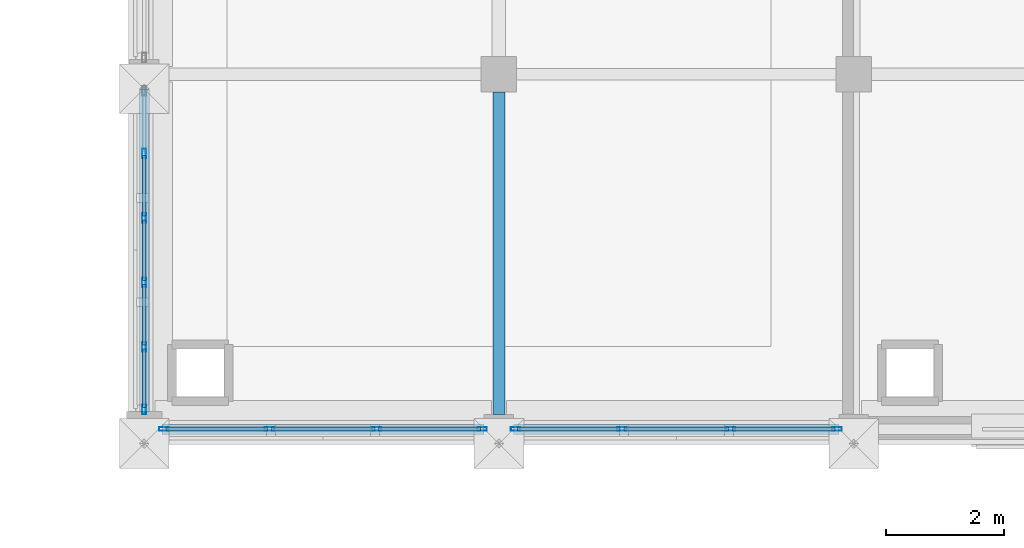
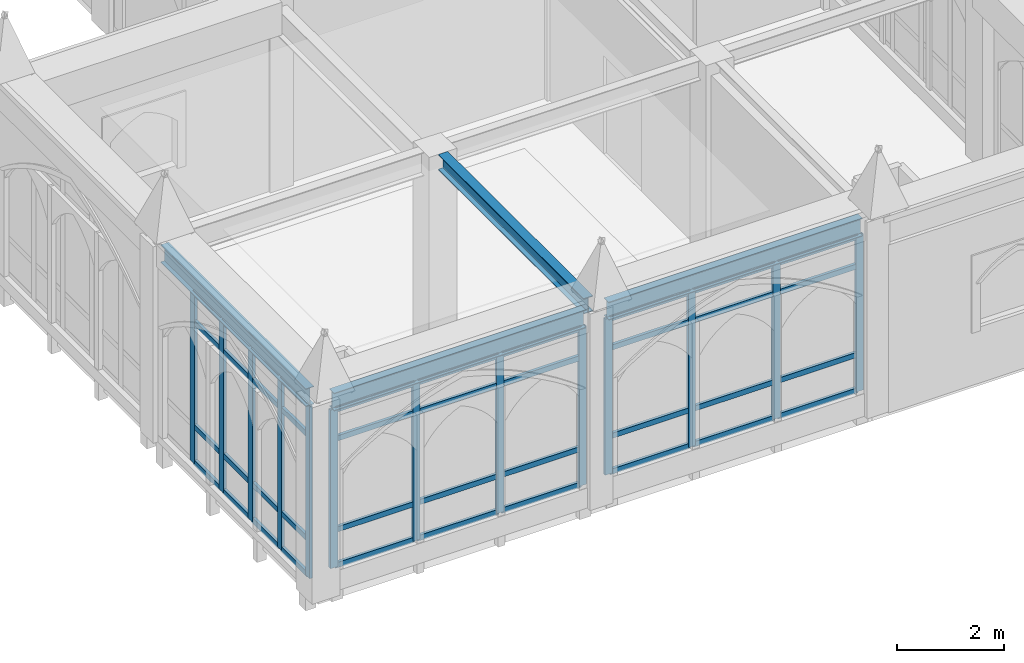
# One storey, part 2 of 127: 53 members, 4 beams, 3 elements without a shape of their own.
"""IFC4 building model written with IfcOpenShell, lengths in metres."""

from ifc_helpers import new_model, si_unit, direction, frame, origin, origin_2d, place, context, subcontext, project, spatial, hollow_rectangle, i_section, extrude, material, layer, layer_set, material_profile, profile_set, type_object, element, aggregate, save


model = new_model("IFC4")

# Units and contexts
model_context = context("Model", 3, precision=1e-05, world=origin(), true_north=direction((0.0, 1.0)))
body_context = subcontext(model_context, "Body", "Model", "MODEL_VIEW")
ifc_project = project(units=[si_unit("LENGTHUNIT", "METRE"), si_unit("AREAUNIT", "SQUARE_METRE"), si_unit("VOLUMEUNIT", "CUBIC_METRE"), si_unit("PLANEANGLEUNIT", "RADIAN"), si_unit("MASSUNIT", "GRAM", prefix="KILO")], contexts=[model_context])

# Site, building, storey
site_placement = place(None, origin())
site = spatial("IfcSite", under=ifc_project, at=site_placement, CompositionType="ELEMENT")
building_placement = place(site_placement, origin())
building = spatial("IfcBuilding", under=site, at=building_placement, Name="Cumevento Cable Car Station", CompositionType="ELEMENT")
storey_placement = place(building_placement, frame((0.0, 0.0, 4.5)))
storey = spatial("IfcBuildingStorey", under=building, at=storey_placement, Name="L02", CompositionType="ELEMENT", Elevation=4.5)

# Curtain wall, members
ifc_material_1 = material(Name="Anodised Bronze Aluminium AW-6063-T6", Category="aluminium")
ifc_layer_1 = layer(ifc_material_1, 0.243896484375)
ifc_layer_set_1 = layer_set([ifc_layer_1], Name="Anodised Bronze Aluminium AW-6063-T6")
curtain_wall_type_1 = type_object("IfcCurtainWallType", Name="Lancet Curtain Wall CW-15 1610", PredefinedType="NOTDEFINED", material=ifc_layer_set_1)
curtain_wall_1_placement = place(storey_placement, origin())
curtain_wall_1 = element("IfcCurtainWall", 1, at=curtain_wall_1_placement, inside=storey, type_object=curtain_wall_type_1, Name="Lancet Curtain Wall CW-15 L02 #46", PredefinedType="NOTDEFINED")
ifc_material_2 = material(Name="Anodised Bronze Aluminium AW-6063-T6", Category="aluminium")
ifc_material_profile_1 = material_profile(ifc_material_2, hollow_rectangle(XDim=0.06494140625, YDim=0.159912109375, WallThickness=0.00390625, at=origin_2d()), Name="ALUM65x160x4")
ifc_profile_set_1 = profile_set([ifc_material_profile_1], Name="Anodised Bronze Aluminium AW-6063-T6")
member_type_1 = type_object("IfcMemberType", Name="Curtain Mullion CWM-01 ALUM65x160x4", PredefinedType="MULLION", material=ifc_profile_set_1)
member_1_placement = place(storey_placement, frame((9.717529296875, 15.0, 0.4599609375), z_axis=(0.0, 0.0, 1.0), x_axis=(0.0, -1.0, 0.0)))
member_1 = element("IfcMember", 2, at=member_1_placement, type_object=member_type_1, Name="CW-15 mullion 1", PredefinedType="MULLION", context=body_context, shape_type="SweptSolid", body=[
    extrude(hollow_rectangle(XDim=0.06494140625, YDim=0.159912109375, WallThickness=0.00390625, at=origin_2d()), origin(), (0.0, 0.0, 1.0), 3.633056640625),
])
member_2_placement = place(storey_placement, frame((7.933349609375, 15.0, 0.4599609375), z_axis=(0.0, 0.0, 1.0), x_axis=(0.0, -1.0, 0.0)))
member_2 = element("IfcMember", 3, at=member_2_placement, type_object=member_type_1, Name="CW-15 mullion 2", PredefinedType="MULLION", context=body_context, shape_type="SweptSolid", body=[
    extrude(hollow_rectangle(XDim=0.06494140625, YDim=0.159912109375, WallThickness=0.00390625, at=origin_2d()), origin(), (0.0, 0.0, 1.0), 3.633056640625),
])
member_3_placement = place(storey_placement, frame((6.11669921875, 15.0, 0.4599609375), z_axis=(0.0, 0.0, 1.0), x_axis=(0.0, -1.0, 0.0)))
member_3 = element("IfcMember", 4, at=member_3_placement, type_object=member_type_1, Name="CW-15 mullion 3", PredefinedType="MULLION", context=body_context, shape_type="SweptSolid", body=[
    extrude(hollow_rectangle(XDim=0.06494140625, YDim=0.159912109375, WallThickness=0.00390625, at=origin_2d()), origin(), (0.0, 0.0, 1.0), 3.633056640625),
])
member_4_placement = place(storey_placement, frame((4.33251953125, 15.0, 0.4599609375), z_axis=(0.0, 0.0, 1.0), x_axis=(0.0, -1.0, 0.0)))
member_4 = element("IfcMember", 5, at=member_4_placement, type_object=member_type_1, Name="CW-15 mullion 4", PredefinedType="MULLION", context=body_context, shape_type="SweptSolid", body=[
    extrude(hollow_rectangle(XDim=0.06494140625, YDim=0.159912109375, WallThickness=0.00390625, at=origin_2d()), origin(), (0.0, 0.0, 1.0), 3.633056640625),
])

ifc_material_3 = material(Name="Anodised Bronze Aluminium AW-6063-T6", Category="aluminium")
ifc_layer_2 = layer(ifc_material_3, 0.25)
ifc_layer_set_2 = layer_set([ifc_layer_2], Name="Anodised Bronze Aluminium AW-6063-T6")
curtain_wall_type_2 = type_object("IfcCurtainWallType", Name="Lancet Curtain Wall CW-16 1650", PredefinedType="NOTDEFINED", material=ifc_layer_set_2)
curtain_wall_2_placement = place(storey_placement, origin())
curtain_wall_2 = element("IfcCurtainWall", 6, at=curtain_wall_2_placement, inside=storey, type_object=curtain_wall_type_2, Name="Lancet Curtain Wall CW-16 L02 #47", PredefinedType="NOTDEFINED")
member_5_placement = place(storey_placement, frame((15.717529296875, 15.0, 0.52001953125), z_axis=(0.0, 0.0, 1.0), x_axis=(0.0, -1.0, 0.0)))
member_5 = element("IfcMember", 7, at=member_5_placement, type_object=member_type_1, Name="CW-16 mullion 1", PredefinedType="MULLION", context=body_context, shape_type="SweptSolid", body=[
    extrude(hollow_rectangle(XDim=0.06494140625, YDim=0.159912109375, WallThickness=0.00390625, at=origin_2d()), origin(), (0.0, 0.0, 1.0), 3.572998046875),
])
member_6_placement = place(storey_placement, frame((13.916748046875, 15.0, 0.52001953125), z_axis=(0.0, 0.0, 1.0), x_axis=(0.0, -1.0, 0.0)))
member_6 = element("IfcMember", 8, at=member_6_placement, type_object=member_type_1, Name="CW-16 mullion 2", PredefinedType="MULLION", context=body_context, shape_type="SweptSolid", body=[
    extrude(hollow_rectangle(XDim=0.06494140625, YDim=0.159912109375, WallThickness=0.00390625, at=origin_2d()), origin(), (0.0, 0.0, 1.0), 3.572998046875),
])
member_7_placement = place(storey_placement, frame((12.083251953125, 15.0, 0.52001953125), z_axis=(0.0, 0.0, 1.0), x_axis=(0.0, -1.0, 0.0)))
member_7 = element("IfcMember", 9, at=member_7_placement, type_object=member_type_1, Name="CW-16 mullion 3", PredefinedType="MULLION", context=body_context, shape_type="SweptSolid", body=[
    extrude(hollow_rectangle(XDim=0.06494140625, YDim=0.159912109375, WallThickness=0.00390625, at=origin_2d()), origin(), (0.0, 0.0, 1.0), 3.572998046875),
])
member_8_placement = place(storey_placement, frame((10.282470703125, 15.0, 0.52001953125), z_axis=(0.0, 0.0, 1.0), x_axis=(0.0, -1.0, 0.0)))
member_8 = element("IfcMember", 10, at=member_8_placement, type_object=member_type_1, Name="CW-16 mullion 4", PredefinedType="MULLION", context=body_context, shape_type="SweptSolid", body=[
    extrude(hollow_rectangle(XDim=0.06494140625, YDim=0.159912109375, WallThickness=0.00390625, at=origin_2d()), origin(), (0.0, 0.0, 1.0), 3.572998046875),
])

ifc_material_4 = material(Name="Anodised Bronze Aluminium AW-6063-T6", Category="aluminium")
ifc_layer_3 = layer(ifc_material_4, 0.159912109375)
ifc_layer_set_3 = layer_set([ifc_layer_3], Name="Anodised Bronze Aluminium AW-6063-T6")
curtain_wall_type_3 = type_object("IfcCurtainWallType", Name="Lancet Curtain Wall CW-01 1050", PredefinedType="NOTDEFINED", material=ifc_layer_set_3)
curtain_wall_3_placement = place(storey_placement, origin())
curtain_wall_3 = element("IfcCurtainWall", 11, at=curtain_wall_3_placement, inside=storey, type_object=curtain_wall_type_3, Name="Lancet Curtain Wall CW-01 L02 #48", PredefinedType="NOTDEFINED")
member_9_placement = place(storey_placement, frame((4.0, 15.33251953125, 0.159912109375), z_axis=(0.0, 0.0, 1.0), x_axis=(-1.0, 0.0, 0.0)))
member_9 = element("IfcMember", 12, at=member_9_placement, type_object=member_type_1, Name="CW-01 mullion 1", PredefinedType="MULLION", context=body_context, shape_type="SweptSolid", body=[
    extrude(hollow_rectangle(XDim=0.06494140625, YDim=0.159912109375, WallThickness=0.00390625, at=origin_2d()), origin(), (0.0, 0.0, 1.0), 3.93310546875),
])
member_10_placement = place(storey_placement, frame((4.0, 16.389892578125, 0.159912109375), z_axis=(0.0, 0.0, 1.0), x_axis=(-1.0, 0.0, 0.0)))
member_10 = element("IfcMember", 13, at=member_10_placement, type_object=member_type_1, Name="CW-01 mullion 2", PredefinedType="MULLION", context=body_context, shape_type="SweptSolid", body=[
    extrude(hollow_rectangle(XDim=0.06494140625, YDim=0.159912109375, WallThickness=0.00390625, at=origin_2d()), origin(), (0.0, 0.0, 1.0), 3.93310546875),
])
member_11_placement = place(storey_placement, frame((4.0, 17.47998046875, 0.159912109375), z_axis=(0.0, 0.0, 1.0), x_axis=(-1.0, 0.0, 0.0)))
member_11 = element("IfcMember", 14, at=member_11_placement, type_object=member_type_1, Name="CW-01 mullion 3", PredefinedType="MULLION", context=body_context, shape_type="SweptSolid", body=[
    extrude(hollow_rectangle(XDim=0.06494140625, YDim=0.159912109375, WallThickness=0.00390625, at=origin_2d()), origin(), (0.0, 0.0, 1.0), 3.93310546875),
])
member_12_placement = place(storey_placement, frame((4.0, 18.570068359375, 0.159912109375), z_axis=(0.0, 0.0, 1.0), x_axis=(-1.0, 0.0, 0.0)))
member_12 = element("IfcMember", 15, at=member_12_placement, type_object=member_type_1, Name="CW-01 mullion 4", PredefinedType="MULLION", context=body_context, shape_type="SweptSolid", body=[
    extrude(hollow_rectangle(XDim=0.06494140625, YDim=0.159912109375, WallThickness=0.00390625, at=origin_2d()), origin(), (0.0, 0.0, 1.0), 3.93310546875),
])
member_13_placement = place(storey_placement, frame((4.0, 19.659912109375, 0.159912109375), z_axis=(0.0, 0.0, 1.0), x_axis=(-1.0, 0.0, 0.0)))
member_13 = element("IfcMember", 16, at=member_13_placement, type_object=member_type_1, Name="CW-01 mullion 5", PredefinedType="MULLION", context=body_context, shape_type="SweptSolid", body=[
    extrude(hollow_rectangle(XDim=0.06494140625, YDim=0.159912109375, WallThickness=0.00390625, at=origin_2d()), origin(), (0.0, 0.0, 1.0), 3.93310546875),
])

# Member
ifc_material_5 = material(Name="Anodised Bronze Aluminium AW-6063-T6", Category="aluminium")
ifc_material_profile_2 = material_profile(ifc_material_5, hollow_rectangle(XDim=0.06494140625, YDim=0.1201171875, WallThickness=0.00390625, at=origin_2d()), Name="ALUT65x120x4")
ifc_profile_set_2 = profile_set([ifc_material_profile_2], Name="Anodised Bronze Aluminium AW-6063-T6")
member_type_2 = type_object("IfcMemberType", Name="Curtain Transom CWT-01 ALUT65x120x4", PredefinedType="USERDEFINED", material=ifc_profile_set_2)
member_14_placement = place(storey_placement, frame((9.68505859375, 15.0, 0.492431640625), z_axis=(-1.0, 0.0, 0.0), x_axis=(0.0, -1.0, 0.0)))
member_14 = element("IfcMember", 17, at=member_14_placement, type_object=member_type_2, Name="CW-15 transom 1.1", ObjectType="TRANSOM", PredefinedType="USERDEFINED", context=body_context, shape_type="SweptSolid", body=[
    extrude(hollow_rectangle(XDim=0.06494140625, YDim=0.1201171875, WallThickness=0.00390625, at=origin_2d()), origin(), (0.0, 0.0, 1.0), 1.71923828125),
])

member_15_placement = place(storey_placement, frame((9.68505859375, 15.0, 1.31005859375), z_axis=(-1.0, 0.0, 0.0), x_axis=(0.0, -1.0, 0.0)))
member_15 = element("IfcMember", 18, at=member_15_placement, type_object=member_type_2, Name="CW-15 transom 1.2", ObjectType="TRANSOM", PredefinedType="USERDEFINED", context=body_context, shape_type="SweptSolid", body=[
    extrude(hollow_rectangle(XDim=0.06494140625, YDim=0.1201171875, WallThickness=0.00390625, at=origin_2d()), origin(), (0.0, 0.0, 1.0), 1.71923828125),
])

member_16_placement = place(storey_placement, frame((9.68505859375, 15.0, 3.39306640625), z_axis=(-1.0, 0.0, 0.0), x_axis=(0.0, -1.0, 0.0)))
member_16 = element("IfcMember", 19, at=member_16_placement, type_object=member_type_2, Name="CW-15 transom 1.3", ObjectType="TRANSOM", PredefinedType="USERDEFINED", context=body_context, shape_type="SweptSolid", body=[
    extrude(hollow_rectangle(XDim=0.06494140625, YDim=0.1201171875, WallThickness=0.00390625, at=origin_2d()), origin(), (0.0, 0.0, 1.0), 1.71923828125),
])

member_17_placement = place(storey_placement, frame((9.68505859375, 15.0, 4.060546875), z_axis=(-1.0, 0.0, 0.0), x_axis=(0.0, -1.0, 0.0)))
member_17 = element("IfcMember", 20, at=member_17_placement, type_object=member_type_2, Name="CW-15 transom 1.4", ObjectType="TRANSOM", PredefinedType="USERDEFINED", context=body_context, shape_type="SweptSolid", body=[
    extrude(hollow_rectangle(XDim=0.06494140625, YDim=0.1201171875, WallThickness=0.00390625, at=origin_2d()), origin(), (0.0, 0.0, 1.0), 1.71923828125),
])

member_18_placement = place(storey_placement, frame((7.90087890625, 15.0, 0.492431640625), z_axis=(-1.0, 0.0, 0.0), x_axis=(0.0, -1.0, 0.0)))
member_18 = element("IfcMember", 21, at=member_18_placement, type_object=member_type_2, Name="CW-15 transom 2.1", ObjectType="TRANSOM", PredefinedType="USERDEFINED", context=body_context, shape_type="SweptSolid", body=[
    extrude(hollow_rectangle(XDim=0.06494140625, YDim=0.1201171875, WallThickness=0.00390625, at=origin_2d()), origin(), (0.0, 0.0, 1.0), 1.751708984375),
])

member_19_placement = place(storey_placement, frame((7.90087890625, 15.0, 1.31005859375), z_axis=(-1.0, 0.0, 0.0), x_axis=(0.0, -1.0, 0.0)))
member_19 = element("IfcMember", 22, at=member_19_placement, type_object=member_type_2, Name="CW-15 transom 2.2", ObjectType="TRANSOM", PredefinedType="USERDEFINED", context=body_context, shape_type="SweptSolid", body=[
    extrude(hollow_rectangle(XDim=0.06494140625, YDim=0.1201171875, WallThickness=0.00390625, at=origin_2d()), origin(), (0.0, 0.0, 1.0), 1.751708984375),
])

member_20_placement = place(storey_placement, frame((7.90087890625, 15.0, 3.39306640625), z_axis=(-1.0, 0.0, 0.0), x_axis=(0.0, -1.0, 0.0)))
member_20 = element("IfcMember", 23, at=member_20_placement, type_object=member_type_2, Name="CW-15 transom 2.3", ObjectType="TRANSOM", PredefinedType="USERDEFINED", context=body_context, shape_type="SweptSolid", body=[
    extrude(hollow_rectangle(XDim=0.06494140625, YDim=0.1201171875, WallThickness=0.00390625, at=origin_2d()), origin(), (0.0, 0.0, 1.0), 1.751708984375),
])

member_21_placement = place(storey_placement, frame((7.90087890625, 15.0, 4.060546875), z_axis=(-1.0, 0.0, 0.0), x_axis=(0.0, -1.0, 0.0)))
member_21 = element("IfcMember", 24, at=member_21_placement, type_object=member_type_2, Name="CW-15 transom 2.4", ObjectType="TRANSOM", PredefinedType="USERDEFINED", context=body_context, shape_type="SweptSolid", body=[
    extrude(hollow_rectangle(XDim=0.06494140625, YDim=0.1201171875, WallThickness=0.00390625, at=origin_2d()), origin(), (0.0, 0.0, 1.0), 1.751708984375),
])

member_22_placement = place(storey_placement, frame((6.084228515625, 15.0, 0.492431640625), z_axis=(-1.0, 0.0, 0.0), x_axis=(0.0, -1.0, 0.0)))
member_22 = element("IfcMember", 25, at=member_22_placement, type_object=member_type_2, Name="CW-15 transom 3.1", ObjectType="TRANSOM", PredefinedType="USERDEFINED", context=body_context, shape_type="SweptSolid", body=[
    extrude(hollow_rectangle(XDim=0.06494140625, YDim=0.1201171875, WallThickness=0.00390625, at=origin_2d()), origin(), (0.0, 0.0, 1.0), 1.71923828125),
])

member_23_placement = place(storey_placement, frame((6.084228515625, 15.0, 1.31005859375), z_axis=(-1.0, 0.0, 0.0), x_axis=(0.0, -1.0, 0.0)))
member_23 = element("IfcMember", 26, at=member_23_placement, type_object=member_type_2, Name="CW-15 transom 3.2", ObjectType="TRANSOM", PredefinedType="USERDEFINED", context=body_context, shape_type="SweptSolid", body=[
    extrude(hollow_rectangle(XDim=0.06494140625, YDim=0.1201171875, WallThickness=0.00390625, at=origin_2d()), origin(), (0.0, 0.0, 1.0), 1.71923828125),
])

member_24_placement = place(storey_placement, frame((6.084228515625, 15.0, 3.39306640625), z_axis=(-1.0, 0.0, 0.0), x_axis=(0.0, -1.0, 0.0)))
member_24 = element("IfcMember", 27, at=member_24_placement, type_object=member_type_2, Name="CW-15 transom 3.3", ObjectType="TRANSOM", PredefinedType="USERDEFINED", context=body_context, shape_type="SweptSolid", body=[
    extrude(hollow_rectangle(XDim=0.06494140625, YDim=0.1201171875, WallThickness=0.00390625, at=origin_2d()), origin(), (0.0, 0.0, 1.0), 1.71923828125),
])

member_25_placement = place(storey_placement, frame((6.084228515625, 15.0, 4.060546875), z_axis=(-1.0, 0.0, 0.0), x_axis=(0.0, -1.0, 0.0)))
member_25 = element("IfcMember", 28, at=member_25_placement, type_object=member_type_2, Name="CW-15 transom 3.4", ObjectType="TRANSOM", PredefinedType="USERDEFINED", context=body_context, shape_type="SweptSolid", body=[
    extrude(hollow_rectangle(XDim=0.06494140625, YDim=0.1201171875, WallThickness=0.00390625, at=origin_2d()), origin(), (0.0, 0.0, 1.0), 1.71923828125),
])

aggregate(curtain_wall_1, [member_1, member_2, member_3, member_4, member_14, member_15, member_16, member_17, member_18, member_19, member_20, member_21, member_22, member_23, member_24, member_25])

member_26_placement = place(storey_placement, frame((15.68505859375, 15.0, 0.552490234375), z_axis=(-1.0, 0.0, 0.0), x_axis=(0.0, -1.0, 0.0)))
member_26 = element("IfcMember", 29, at=member_26_placement, type_object=member_type_2, Name="CW-16 transom 1.1", ObjectType="TRANSOM", PredefinedType="USERDEFINED", context=body_context, shape_type="SweptSolid", body=[
    extrude(hollow_rectangle(XDim=0.06494140625, YDim=0.1201171875, WallThickness=0.00390625, at=origin_2d()), origin(), (0.0, 0.0, 1.0), 1.73583984375),
])

member_27_placement = place(storey_placement, frame((15.68505859375, 15.0, 1.3701171875), z_axis=(-1.0, 0.0, 0.0), x_axis=(0.0, -1.0, 0.0)))
member_27 = element("IfcMember", 30, at=member_27_placement, type_object=member_type_2, Name="CW-16 transom 1.2", ObjectType="TRANSOM", PredefinedType="USERDEFINED", context=body_context, shape_type="SweptSolid", body=[
    extrude(hollow_rectangle(XDim=0.06494140625, YDim=0.1201171875, WallThickness=0.00390625, at=origin_2d()), origin(), (0.0, 0.0, 1.0), 1.73583984375),
])

member_28_placement = place(storey_placement, frame((15.68505859375, 15.0, 3.39306640625), z_axis=(-1.0, 0.0, 0.0), x_axis=(0.0, -1.0, 0.0)))
member_28 = element("IfcMember", 31, at=member_28_placement, type_object=member_type_2, Name="CW-16 transom 1.3", ObjectType="TRANSOM", PredefinedType="USERDEFINED", context=body_context, shape_type="SweptSolid", body=[
    extrude(hollow_rectangle(XDim=0.06494140625, YDim=0.1201171875, WallThickness=0.00390625, at=origin_2d()), origin(), (0.0, 0.0, 1.0), 1.73583984375),
])

member_29_placement = place(storey_placement, frame((15.68505859375, 15.0, 4.060546875), z_axis=(-1.0, 0.0, 0.0), x_axis=(0.0, -1.0, 0.0)))
member_29 = element("IfcMember", 32, at=member_29_placement, type_object=member_type_2, Name="CW-16 transom 1.4", ObjectType="TRANSOM", PredefinedType="USERDEFINED", context=body_context, shape_type="SweptSolid", body=[
    extrude(hollow_rectangle(XDim=0.06494140625, YDim=0.1201171875, WallThickness=0.00390625, at=origin_2d()), origin(), (0.0, 0.0, 1.0), 1.73583984375),
])

member_30_placement = place(storey_placement, frame((13.88427734375, 15.0, 0.552490234375), z_axis=(-1.0, 0.0, 0.0), x_axis=(0.0, -1.0, 0.0)))
member_30 = element("IfcMember", 33, at=member_30_placement, type_object=member_type_2, Name="CW-16 transom 2.1", ObjectType="TRANSOM", PredefinedType="USERDEFINED", context=body_context, shape_type="SweptSolid", body=[
    extrude(hollow_rectangle(XDim=0.06494140625, YDim=0.1201171875, WallThickness=0.00390625, at=origin_2d()), origin(), (0.0, 0.0, 1.0), 1.7685546875),
])

member_31_placement = place(storey_placement, frame((13.88427734375, 15.0, 1.3701171875), z_axis=(-1.0, 0.0, 0.0), x_axis=(0.0, -1.0, 0.0)))
member_31 = element("IfcMember", 34, at=member_31_placement, type_object=member_type_2, Name="CW-16 transom 2.2", ObjectType="TRANSOM", PredefinedType="USERDEFINED", context=body_context, shape_type="SweptSolid", body=[
    extrude(hollow_rectangle(XDim=0.06494140625, YDim=0.1201171875, WallThickness=0.00390625, at=origin_2d()), origin(), (0.0, 0.0, 1.0), 1.7685546875),
])

member_32_placement = place(storey_placement, frame((13.88427734375, 15.0, 3.39306640625), z_axis=(-1.0, 0.0, 0.0), x_axis=(0.0, -1.0, 0.0)))
member_32 = element("IfcMember", 35, at=member_32_placement, type_object=member_type_2, Name="CW-16 transom 2.3", ObjectType="TRANSOM", PredefinedType="USERDEFINED", context=body_context, shape_type="SweptSolid", body=[
    extrude(hollow_rectangle(XDim=0.06494140625, YDim=0.1201171875, WallThickness=0.00390625, at=origin_2d()), origin(), (0.0, 0.0, 1.0), 1.7685546875),
])

member_33_placement = place(storey_placement, frame((13.88427734375, 15.0, 4.060546875), z_axis=(-1.0, 0.0, 0.0), x_axis=(0.0, -1.0, 0.0)))
member_33 = element("IfcMember", 36, at=member_33_placement, type_object=member_type_2, Name="CW-16 transom 2.4", ObjectType="TRANSOM", PredefinedType="USERDEFINED", context=body_context, shape_type="SweptSolid", body=[
    extrude(hollow_rectangle(XDim=0.06494140625, YDim=0.1201171875, WallThickness=0.00390625, at=origin_2d()), origin(), (0.0, 0.0, 1.0), 1.7685546875),
])

member_34_placement = place(storey_placement, frame((12.05078125, 15.0, 0.552490234375), z_axis=(-1.0, 0.0, 0.0), x_axis=(0.0, -1.0, 0.0)))
member_34 = element("IfcMember", 37, at=member_34_placement, type_object=member_type_2, Name="CW-16 transom 3.1", ObjectType="TRANSOM", PredefinedType="USERDEFINED", context=body_context, shape_type="SweptSolid", body=[
    extrude(hollow_rectangle(XDim=0.06494140625, YDim=0.1201171875, WallThickness=0.00390625, at=origin_2d()), origin(), (0.0, 0.0, 1.0), 1.73583984375),
])

member_35_placement = place(storey_placement, frame((12.05078125, 15.0, 1.3701171875), z_axis=(-1.0, 0.0, 0.0), x_axis=(0.0, -1.0, 0.0)))
member_35 = element("IfcMember", 38, at=member_35_placement, type_object=member_type_2, Name="CW-16 transom 3.2", ObjectType="TRANSOM", PredefinedType="USERDEFINED", context=body_context, shape_type="SweptSolid", body=[
    extrude(hollow_rectangle(XDim=0.06494140625, YDim=0.1201171875, WallThickness=0.00390625, at=origin_2d()), origin(), (0.0, 0.0, 1.0), 1.73583984375),
])

member_36_placement = place(storey_placement, frame((12.05078125, 15.0, 3.39306640625), z_axis=(-1.0, 0.0, 0.0), x_axis=(0.0, -1.0, 0.0)))
member_36 = element("IfcMember", 39, at=member_36_placement, type_object=member_type_2, Name="CW-16 transom 3.3", ObjectType="TRANSOM", PredefinedType="USERDEFINED", context=body_context, shape_type="SweptSolid", body=[
    extrude(hollow_rectangle(XDim=0.06494140625, YDim=0.1201171875, WallThickness=0.00390625, at=origin_2d()), origin(), (0.0, 0.0, 1.0), 1.73583984375),
])

member_37_placement = place(storey_placement, frame((12.05078125, 15.0, 4.060546875), z_axis=(-1.0, 0.0, 0.0), x_axis=(0.0, -1.0, 0.0)))
member_37 = element("IfcMember", 40, at=member_37_placement, type_object=member_type_2, Name="CW-16 transom 3.4", ObjectType="TRANSOM", PredefinedType="USERDEFINED", context=body_context, shape_type="SweptSolid", body=[
    extrude(hollow_rectangle(XDim=0.06494140625, YDim=0.1201171875, WallThickness=0.00390625, at=origin_2d()), origin(), (0.0, 0.0, 1.0), 1.73583984375),
])

aggregate(curtain_wall_2, [member_5, member_6, member_7, member_8, member_26, member_27, member_28, member_29, member_30, member_31, member_32, member_33, member_34, member_35, member_36, member_37])

member_38_placement = place(storey_placement, frame((4.0, 15.364990234375, 0.1923828125), z_axis=(0.0, 1.0, 0.0), x_axis=(-1.0, 0.0, 0.0)))
member_38 = element("IfcMember", 41, at=member_38_placement, type_object=member_type_2, Name="CW-01 transom 1.1", ObjectType="TRANSOM", PredefinedType="USERDEFINED", context=body_context, shape_type="SweptSolid", body=[
    extrude(hollow_rectangle(XDim=0.06494140625, YDim=0.1201171875, WallThickness=0.00390625, at=origin_2d()), origin(), (0.0, 0.0, 1.0), 0.992431640625),
])

member_39_placement = place(storey_placement, frame((4.0, 15.364990234375, 1.010009765625), z_axis=(0.0, 1.0, 0.0), x_axis=(-1.0, 0.0, 0.0)))
member_39 = element("IfcMember", 42, at=member_39_placement, type_object=member_type_2, Name="CW-01 transom 1.2", ObjectType="TRANSOM", PredefinedType="USERDEFINED", context=body_context, shape_type="SweptSolid", body=[
    extrude(hollow_rectangle(XDim=0.06494140625, YDim=0.1201171875, WallThickness=0.00390625, at=origin_2d()), origin(), (0.0, 0.0, 1.0), 0.992431640625),
])

member_40_placement = place(storey_placement, frame((4.0, 15.364990234375, 3.39306640625), z_axis=(0.0, 1.0, 0.0), x_axis=(-1.0, 0.0, 0.0)))
member_40 = element("IfcMember", 43, at=member_40_placement, type_object=member_type_2, Name="CW-01 transom 1.3", ObjectType="TRANSOM", PredefinedType="USERDEFINED", context=body_context, shape_type="SweptSolid", body=[
    extrude(hollow_rectangle(XDim=0.06494140625, YDim=0.1201171875, WallThickness=0.00390625, at=origin_2d()), origin(), (0.0, 0.0, 1.0), 0.992431640625),
])

member_41_placement = place(storey_placement, frame((4.0, 15.364990234375, 4.060546875), z_axis=(0.0, 1.0, 0.0), x_axis=(-1.0, 0.0, 0.0)))
member_41 = element("IfcMember", 44, at=member_41_placement, type_object=member_type_2, Name="CW-01 transom 1.4", ObjectType="TRANSOM", PredefinedType="USERDEFINED", context=body_context, shape_type="SweptSolid", body=[
    extrude(hollow_rectangle(XDim=0.06494140625, YDim=0.1201171875, WallThickness=0.00390625, at=origin_2d()), origin(), (0.0, 0.0, 1.0), 0.992431640625),
])

member_42_placement = place(storey_placement, frame((4.0, 16.422607421875, 0.1923828125), z_axis=(0.0, 1.0, 0.0), x_axis=(-1.0, 0.0, 0.0)))
member_42 = element("IfcMember", 45, at=member_42_placement, type_object=member_type_2, Name="CW-01 transom 2.1", ObjectType="TRANSOM", PredefinedType="USERDEFINED", context=body_context, shape_type="SweptSolid", body=[
    extrude(hollow_rectangle(XDim=0.06494140625, YDim=0.1201171875, WallThickness=0.00390625, at=origin_2d()), origin(), (0.0, 0.0, 1.0), 1.02490234375),
])

member_43_placement = place(storey_placement, frame((4.0, 16.422607421875, 1.010009765625), z_axis=(0.0, 1.0, 0.0), x_axis=(-1.0, 0.0, 0.0)))
member_43 = element("IfcMember", 46, at=member_43_placement, type_object=member_type_2, Name="CW-01 transom 2.2", ObjectType="TRANSOM", PredefinedType="USERDEFINED", context=body_context, shape_type="SweptSolid", body=[
    extrude(hollow_rectangle(XDim=0.06494140625, YDim=0.1201171875, WallThickness=0.00390625, at=origin_2d()), origin(), (0.0, 0.0, 1.0), 1.02490234375),
])

member_44_placement = place(storey_placement, frame((4.0, 16.422607421875, 3.39306640625), z_axis=(0.0, 1.0, 0.0), x_axis=(-1.0, 0.0, 0.0)))
member_44 = element("IfcMember", 47, at=member_44_placement, type_object=member_type_2, Name="CW-01 transom 2.3", ObjectType="TRANSOM", PredefinedType="USERDEFINED", context=body_context, shape_type="SweptSolid", body=[
    extrude(hollow_rectangle(XDim=0.06494140625, YDim=0.1201171875, WallThickness=0.00390625, at=origin_2d()), origin(), (0.0, 0.0, 1.0), 1.02490234375),
])

member_45_placement = place(storey_placement, frame((4.0, 16.422607421875, 4.060546875), z_axis=(0.0, 1.0, 0.0), x_axis=(-1.0, 0.0, 0.0)))
member_45 = element("IfcMember", 48, at=member_45_placement, type_object=member_type_2, Name="CW-01 transom 2.4", ObjectType="TRANSOM", PredefinedType="USERDEFINED", context=body_context, shape_type="SweptSolid", body=[
    extrude(hollow_rectangle(XDim=0.06494140625, YDim=0.1201171875, WallThickness=0.00390625, at=origin_2d()), origin(), (0.0, 0.0, 1.0), 1.02490234375),
])

member_46_placement = place(storey_placement, frame((4.0, 17.512451171875, 0.1923828125), z_axis=(0.0, 1.0, 0.0), x_axis=(-1.0, 0.0, 0.0)))
member_46 = element("IfcMember", 49, at=member_46_placement, type_object=member_type_2, Name="CW-01 transom 3.1", ObjectType="TRANSOM", PredefinedType="USERDEFINED", context=body_context, shape_type="SweptSolid", body=[
    extrude(hollow_rectangle(XDim=0.06494140625, YDim=0.1201171875, WallThickness=0.00390625, at=origin_2d()), origin(), (0.0, 0.0, 1.0), 1.025146484375),
])

member_47_placement = place(storey_placement, frame((4.0, 17.512451171875, 1.010009765625), z_axis=(0.0, 1.0, 0.0), x_axis=(-1.0, 0.0, 0.0)))
member_47 = element("IfcMember", 50, at=member_47_placement, type_object=member_type_2, Name="CW-01 transom 3.2", ObjectType="TRANSOM", PredefinedType="USERDEFINED", context=body_context, shape_type="SweptSolid", body=[
    extrude(hollow_rectangle(XDim=0.06494140625, YDim=0.1201171875, WallThickness=0.00390625, at=origin_2d()), origin(), (0.0, 0.0, 1.0), 1.025146484375),
])

member_48_placement = place(storey_placement, frame((4.0, 17.512451171875, 3.39306640625), z_axis=(0.0, 1.0, 0.0), x_axis=(-1.0, 0.0, 0.0)))
member_48 = element("IfcMember", 51, at=member_48_placement, type_object=member_type_2, Name="CW-01 transom 3.3", ObjectType="TRANSOM", PredefinedType="USERDEFINED", context=body_context, shape_type="SweptSolid", body=[
    extrude(hollow_rectangle(XDim=0.06494140625, YDim=0.1201171875, WallThickness=0.00390625, at=origin_2d()), origin(), (0.0, 0.0, 1.0), 1.025146484375),
])

member_49_placement = place(storey_placement, frame((4.0, 17.512451171875, 4.060546875), z_axis=(0.0, 1.0, 0.0), x_axis=(-1.0, 0.0, 0.0)))
member_49 = element("IfcMember", 52, at=member_49_placement, type_object=member_type_2, Name="CW-01 transom 3.4", ObjectType="TRANSOM", PredefinedType="USERDEFINED", context=body_context, shape_type="SweptSolid", body=[
    extrude(hollow_rectangle(XDim=0.06494140625, YDim=0.1201171875, WallThickness=0.00390625, at=origin_2d()), origin(), (0.0, 0.0, 1.0), 1.025146484375),
])

member_50_placement = place(storey_placement, frame((4.0, 18.6025390625, 0.1923828125), z_axis=(0.0, 1.0, 0.0), x_axis=(-1.0, 0.0, 0.0)))
member_50 = element("IfcMember", 53, at=member_50_placement, type_object=member_type_2, Name="CW-01 transom 4.1", ObjectType="TRANSOM", PredefinedType="USERDEFINED", context=body_context, shape_type="SweptSolid", body=[
    extrude(hollow_rectangle(XDim=0.06494140625, YDim=0.1201171875, WallThickness=0.00390625, at=origin_2d()), origin(), (0.0, 0.0, 1.0), 1.02490234375),
])

member_51_placement = place(storey_placement, frame((4.0, 18.6025390625, 1.010009765625), z_axis=(0.0, 1.0, 0.0), x_axis=(-1.0, 0.0, 0.0)))
member_51 = element("IfcMember", 54, at=member_51_placement, type_object=member_type_2, Name="CW-01 transom 4.2", ObjectType="TRANSOM", PredefinedType="USERDEFINED", context=body_context, shape_type="SweptSolid", body=[
    extrude(hollow_rectangle(XDim=0.06494140625, YDim=0.1201171875, WallThickness=0.00390625, at=origin_2d()), origin(), (0.0, 0.0, 1.0), 1.02490234375),
])

member_52_placement = place(storey_placement, frame((4.0, 18.6025390625, 3.39306640625), z_axis=(0.0, 1.0, 0.0), x_axis=(-1.0, 0.0, 0.0)))
member_52 = element("IfcMember", 55, at=member_52_placement, type_object=member_type_2, Name="CW-01 transom 4.3", ObjectType="TRANSOM", PredefinedType="USERDEFINED", context=body_context, shape_type="SweptSolid", body=[
    extrude(hollow_rectangle(XDim=0.06494140625, YDim=0.1201171875, WallThickness=0.00390625, at=origin_2d()), origin(), (0.0, 0.0, 1.0), 1.02490234375),
])

member_53_placement = place(storey_placement, frame((4.0, 18.6025390625, 4.060546875), z_axis=(0.0, 1.0, 0.0), x_axis=(-1.0, 0.0, 0.0)))
member_53 = element("IfcMember", 56, at=member_53_placement, type_object=member_type_2, Name="CW-01 transom 4.4", ObjectType="TRANSOM", PredefinedType="USERDEFINED", context=body_context, shape_type="SweptSolid", body=[
    extrude(hollow_rectangle(XDim=0.06494140625, YDim=0.1201171875, WallThickness=0.00390625, at=origin_2d()), origin(), (0.0, 0.0, 1.0), 1.02490234375),
])

aggregate(curtain_wall_3, [member_9, member_10, member_11, member_12, member_13, member_38, member_39, member_40, member_41, member_42, member_43, member_44, member_45, member_46, member_47, member_48, member_49, member_50, member_51, member_52, member_53])

# Beams
ifc_material_6 = material(Name="Steel ASTM A572 Grade 50", Category="steel")
ifc_material_profile_3 = material_profile(ifc_material_6, i_section(OverallWidth=0.205078125, OverallDepth=0.35400390625, WebThickness=0.009521484375, FlangeThickness=0.016845703125, at=origin_2d()), Name="W360x79.0")
ifc_profile_set_3 = profile_set([ifc_material_profile_3], Name="Steel ASTM A572 Grade 50")
beam_type_1 = type_object("IfcBeamType", Name="Structural Beam BM-05 W360x79.0", PredefinedType="BEAM", material=ifc_profile_set_3)
beam_1_placement = place(storey_placement, frame((10.0, 15.25, 4.322998046875), z_axis=(0.0, 1.0, 0.0), x_axis=(-1.0, 0.0, 0.0)))
element("IfcBeam", 57, at=beam_1_placement, inside=storey, type_object=beam_type_1, Name="Beam BM-05 L02 #528", PredefinedType="BEAM", context=body_context, shape_type="SweptSolid", body=[
    extrude(i_section(OverallWidth=0.205078125, OverallDepth=0.35400390625, WebThickness=0.009521484375, FlangeThickness=0.016845703125, at=origin_2d()), origin(), (0.0, 0.0, 1.0), 5.449951171875),
])
ifc_material_7 = material(Name="Steel ASTM A572 Grade 50", Category="steel")
ifc_material_profile_4 = material_profile(ifc_material_7, i_section(OverallWidth=0.177978515625, OverallDepth=0.406982421875, WebThickness=0.0078125, FlangeThickness=0.0126953125, at=origin_2d()), Name="W410x60.0")
ifc_profile_set_4 = profile_set([ifc_material_profile_4], Name="Steel ASTM A572 Grade 50")
beam_type_2 = type_object("IfcBeamType", Name="Structural Spandrel SP-01 W410x60.0", PredefinedType="SPANDREL", material=ifc_profile_set_4)
beam_2_placement = place(storey_placement, frame((4.300048828125, 15.0, 4.29638671875), z_axis=(1.0, 0.0, 0.0), x_axis=(0.0, 1.0, 0.0)))
element("IfcBeam", 58, at=beam_2_placement, inside=storey, type_object=beam_type_2, Name="Beam SP-01 L02 #517", PredefinedType="SPANDREL", context=body_context, shape_type="SweptSolid", body=[
    extrude(i_section(OverallWidth=0.177978515625, OverallDepth=0.406982421875, WebThickness=0.0078125, FlangeThickness=0.0126953125, at=origin_2d()), origin(), (0.0, 0.0, 1.0), 5.449951171875),
])
beam_3_placement = place(storey_placement, frame((10.25, 15.0, 4.29638671875), z_axis=(1.0, 0.0, 0.0), x_axis=(0.0, 1.0, 0.0)))
element("IfcBeam", 59, at=beam_3_placement, inside=storey, type_object=beam_type_2, Name="Beam SP-01 L02 #518", PredefinedType="SPANDREL", context=body_context, shape_type="SweptSolid", body=[
    extrude(i_section(OverallWidth=0.177978515625, OverallDepth=0.406982421875, WebThickness=0.0078125, FlangeThickness=0.0126953125, at=origin_2d()), origin(), (0.0, 0.0, 1.0), 5.5),
])
beam_4_placement = place(storey_placement, frame((4.0, 15.300048828125, 4.29638671875), z_axis=(0.0, 1.0, 0.0), x_axis=(-1.0, 0.0, 0.0)))
element("IfcBeam", 60, at=beam_4_placement, inside=storey, type_object=beam_type_2, Name="Beam SP-01 L02 #526", PredefinedType="SPANDREL", context=body_context, shape_type="SweptSolid", body=[
    extrude(i_section(OverallWidth=0.177978515625, OverallDepth=0.406982421875, WebThickness=0.0078125, FlangeThickness=0.0126953125, at=origin_2d()), origin(), (0.0, 0.0, 1.0), 5.449951171875),
])

save(model, "model.ifc")
